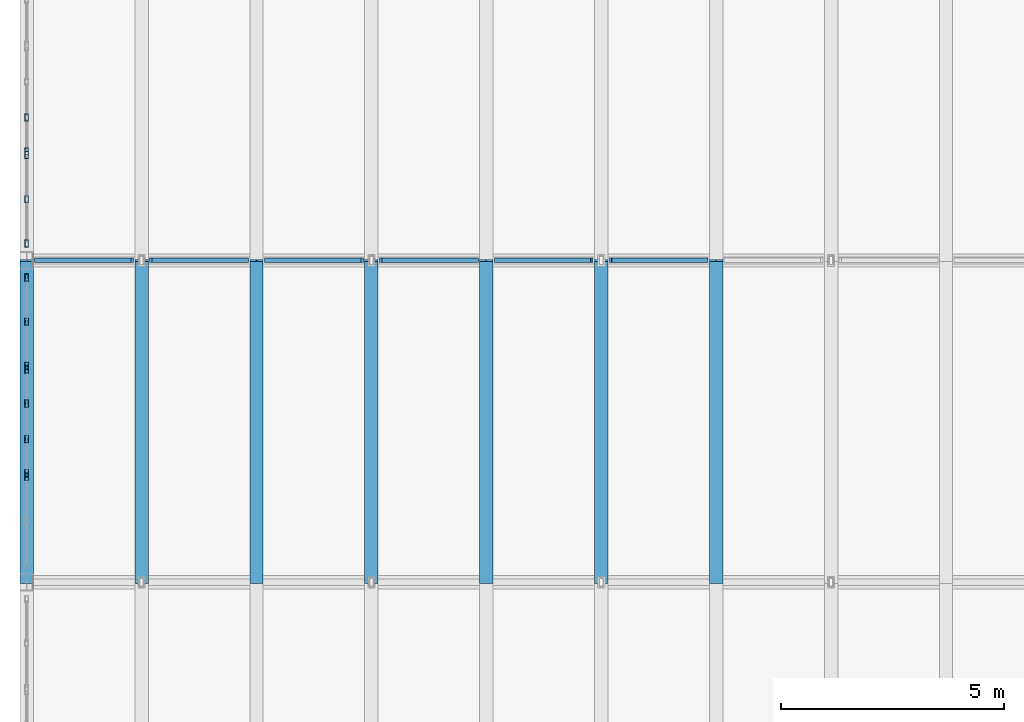
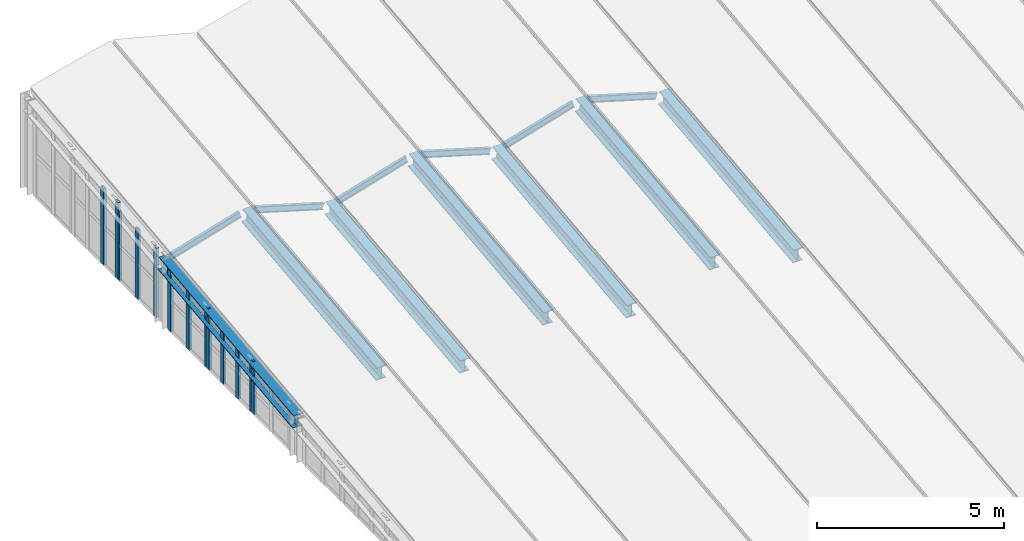
# One storey, part 4 of 39: 19 members, 7 beams, 5 elements without a shape of their own.
"""IFC4 building model written with IfcOpenShell, lengths in metres."""

from ifc_helpers import new_model, si_unit, direction, frame, origin, origin_2d, place, context, subcontext, project, spatial, hollow_rectangle, i_section, extrude, material, layer, layer_set, material_profile, profile_set, type_object, element, aggregate, save


model = new_model("IFC4")

# Units and contexts
model_context = context("Model", 3, precision=1e-05, world=origin(), true_north=direction((0.0, 1.0)))
body_context = subcontext(model_context, "Body", "Model", "MODEL_VIEW")
ifc_project = project(units=[si_unit("LENGTHUNIT", "METRE"), si_unit("AREAUNIT", "SQUARE_METRE"), si_unit("VOLUMEUNIT", "CUBIC_METRE"), si_unit("PLANEANGLEUNIT", "RADIAN"), si_unit("MASSUNIT", "GRAM", prefix="KILO"), si_unit("THERMODYNAMICTEMPERATUREUNIT", "KELVIN"), si_unit("POWERUNIT", "WATT")], contexts=[model_context])

# Site, building, storey
site_placement = place(None, origin())
site = spatial("IfcSite", under=ifc_project, at=site_placement, CompositionType="ELEMENT")
building_placement = place(site_placement, origin())
building = spatial("IfcBuilding", under=site, at=building_placement, Name="Kaldorven Railside Theatre", CompositionType="ELEMENT")
storey_placement = place(building_placement, frame((0.0, 0.0, 27.300048828125)))
storey = spatial("IfcBuildingStorey", under=building, at=storey_placement, Name="ROOF", CompositionType="ELEMENT", Elevation=27.300048828125)

# Beams
ifc_material_1 = material(Name="Steel S355", Category="steel")
ifc_material_profile_1 = material_profile(ifc_material_1, i_section(OverallWidth=0.300048828125, OverallDepth=0.449951171875, WebThickness=0.013916015625, FlangeThickness=0.02587890625, at=origin_2d()), Name="HEB 450")
ifc_profile_set_1 = profile_set([ifc_material_profile_1], Name="Steel S355")
beam_type = type_object("IfcBeamType", Name="BM-HEB450", PredefinedType="BEAM", material=ifc_profile_set_1)
for number, where, z_axis, x_axis, name in (
    (1, (87.199951171875, 98.39990234375, 1.205078125), (0.0, 0.993576360175, 0.113163671295), (-1.0, 0.0, 0.0), "V2 Folded-Plate Valley Girder VB-101"),
    (2, (89.771484375, 98.39990234375, 1.8701171875), (0.0, 0.993580147592, 0.113130412845), (-1.0, 0.0, 0.0), "V2 Folded-Plate Ridge Girder RB-105"),
    (3, (92.343017578125, 98.39990234375, 1.205078125), (0.0, 0.993576360175, 0.113163671295), (-1.0, 0.0, 0.0), "V2 Folded-Plate Valley Girder VB-109"),
    (4, (94.914306640625, 98.39990234375, 1.8701171875), (0.0, 0.993580147592, 0.113130412845), (-1.0, 0.0, 0.0), "V2 Folded-Plate Ridge Girder RB-113"),
    (5, (97.485595703125, 98.39990234375, 1.205078125), (0.0, 0.993576360175, 0.113163671295), (-1.0, 0.0, 0.0), "V2 Folded-Plate Valley Girder VB-117"),
    (6, (100.05712890625, 98.39990234375, 1.8701171875), (0.0, 0.993580147592, 0.113130412845), (-1.0, 0.0, 0.0), "V2 Folded-Plate Ridge Girder RB-121"),
    (7, (102.628662109375, 98.39990234375, 1.205078125), (0.0, 0.993576360175, 0.113163671295), (-1.0, 0.0, 0.0), "V2 Folded-Plate Valley Girder VB-125"),
):
    element("IfcBeam", number, at=place(storey_placement, frame(where, z_axis=z_axis, x_axis=x_axis)), inside=storey, type_object=beam_type, Name=name, PredefinedType="BEAM", context=body_context, shape_type="SweptSolid", body=[
        extrude(i_section(OverallWidth=0.300048828125, OverallDepth=0.449951171875, WebThickness=0.013916015625, FlangeThickness=0.02587890625, at=origin_2d()), origin(), (0.0, 0.0, 1.0), 7.246826171875),
    ])

# Curtain wall, member
ifc_material_2 = material(Name="Low-E laminated solar-control glass", Category="glass")
ifc_layer_1 = layer(ifc_material_2, 0.159912109375, Name="Low-E laminated solar-control glass")
ifc_layer_set_1 = layer_set([ifc_layer_1], Name="Low-E laminated solar-control glass")
curtain_wall_type_1 = type_object("IfcCurtainWallType", Name="CWT-55", PredefinedType="USERDEFINED", material=ifc_layer_set_1)
curtain_wall_1_placement = place(storey_placement, origin())
curtain_wall_1 = element("IfcCurtainWall", 8, at=curtain_wall_1_placement, inside=storey, type_object=curtain_wall_type_1, Name="Fly-Tower West Crown Clerestory CWG-095", ObjectType="FLUTED GLAZING", PredefinedType="USERDEFINED")
ifc_material_3 = material(Name="Anodised bronze aluminium", Category="aluminium")
ifc_material_profile_2 = material_profile(ifc_material_3, hollow_rectangle(XDim=0.080078125, YDim=0.159912109375, WallThickness=0.00634765625, at=origin_2d()), Name="RHS 160x80x6.3")
ifc_profile_set_2 = profile_set([ifc_material_profile_2], Name="Anodised bronze aluminium")
member_type_1 = type_object("IfcMemberType", Name="CWM-160", PredefinedType="MULLION", material=ifc_profile_set_2)
member_1_placement = place(storey_placement, frame((87.199951171875, 100.760009765625, 0.02001953125), z_axis=(0.0, 0.0, 1.0), x_axis=(-1.0, 0.0, 0.0)))
member_1 = element("IfcMember", 9, at=member_1_placement, type_object=member_type_1, Name="CWG-095 mullion 3", PredefinedType="MULLION", context=body_context, shape_type="SweptSolid", body=[
    extrude(hollow_rectangle(XDim=0.080078125, YDim=0.159912109375, WallThickness=0.00634765625, at=origin_2d()), origin(), (0.0, 0.0, 1.0), 1.449951171875),
])
aggregate(curtain_wall_1, [member_1])

# Curtain wall, members
ifc_layer_2 = layer(ifc_material_2, 0.159912109375, Name="Low-E laminated solar-control glass")
ifc_layer_set_2 = layer_set([ifc_layer_2], Name="Low-E laminated solar-control glass")
curtain_wall_type_2 = type_object("IfcCurtainWallType", Name="CWT-56", PredefinedType="USERDEFINED", material=ifc_layer_set_2)
curtain_wall_2_placement = place(storey_placement, origin())
curtain_wall_2 = element("IfcCurtainWall", 10, at=curtain_wall_2_placement, inside=storey, type_object=curtain_wall_type_2, Name="Fly-Tower West Crown Clerestory CWG-096", ObjectType="FLUTED GLAZING", PredefinedType="USERDEFINED")
member_2_placement = place(storey_placement, frame((87.199951171875, 100.840087890625, 0.02001953125), z_axis=(0.0, 0.0, 1.0), x_axis=(-1.0, 0.0, 0.0)))
member_2 = element("IfcMember", 11, at=member_2_placement, type_object=member_type_1, Name="CWG-096 mullion 1", PredefinedType="MULLION", context=body_context, shape_type="SweptSolid", body=[
    extrude(hollow_rectangle(XDim=0.080078125, YDim=0.159912109375, WallThickness=0.00634765625, at=origin_2d()), origin(), (0.0, 0.0, 1.0), 1.68994140625),
])
member_3_placement = place(storey_placement, frame((87.199951171875, 101.60009765625, 0.02001953125), z_axis=(0.0, 0.0, 1.0), x_axis=(-1.0, 0.0, 0.0)))
member_3 = element("IfcMember", 12, at=member_3_placement, type_object=member_type_1, Name="CWG-096 mullion 2", PredefinedType="MULLION", context=body_context, shape_type="SweptSolid", body=[
    extrude(hollow_rectangle(XDim=0.080078125, YDim=0.159912109375, WallThickness=0.00634765625, at=origin_2d()), origin(), (0.0, 0.0, 1.0), 1.68994140625),
])
member_4_placement = place(storey_placement, frame((87.199951171875, 102.39990234375, 0.02001953125), z_axis=(0.0, 0.0, 1.0), x_axis=(-1.0, 0.0, 0.0)))
member_4 = element("IfcMember", 13, at=member_4_placement, type_object=member_type_1, Name="CWG-096 mullion 3", PredefinedType="MULLION", context=body_context, shape_type="SweptSolid", body=[
    extrude(hollow_rectangle(XDim=0.080078125, YDim=0.159912109375, WallThickness=0.00634765625, at=origin_2d()), origin(), (0.0, 0.0, 1.0), 1.68994140625),
])
member_5_placement = place(storey_placement, frame((87.199951171875, 103.159912109375, 0.02001953125), z_axis=(0.0, 0.0, 1.0), x_axis=(-1.0, 0.0, 0.0)))
member_5 = element("IfcMember", 14, at=member_5_placement, type_object=member_type_1, Name="CWG-096 mullion 4", PredefinedType="MULLION", context=body_context, shape_type="SweptSolid", body=[
    extrude(hollow_rectangle(XDim=0.080078125, YDim=0.159912109375, WallThickness=0.00634765625, at=origin_2d()), origin(), (0.0, 0.0, 1.0), 1.68994140625),
])
aggregate(curtain_wall_2, [member_2, member_3, member_4, member_5])

ifc_layer_3 = layer(ifc_material_2, 0.159912109375, Name="Low-E laminated solar-control glass")
ifc_layer_set_3 = layer_set([ifc_layer_3], Name="Low-E laminated solar-control glass")
curtain_wall_type_3 = type_object("IfcCurtainWallType", Name="CWT-57", PredefinedType="USERDEFINED", material=ifc_layer_set_3)
curtain_wall_3_placement = place(storey_placement, origin())
curtain_wall_3 = element("IfcCurtainWall", 15, at=curtain_wall_3_placement, inside=storey, type_object=curtain_wall_type_3, Name="Fly-Tower West Crown Clerestory CWG-097", ObjectType="FLUTED GLAZING", PredefinedType="USERDEFINED")
member_6_placement = place(storey_placement, frame((87.199951171875, 103.239990234375, 0.02001953125), z_axis=(0.0, 0.0, 1.0), x_axis=(-1.0, 0.0, 0.0)))
member_6 = element("IfcMember", 16, at=member_6_placement, type_object=member_type_1, Name="CWG-097 mullion 1", PredefinedType="MULLION", context=body_context, shape_type="SweptSolid", body=[
    extrude(hollow_rectangle(XDim=0.080078125, YDim=0.159912109375, WallThickness=0.00634765625, at=origin_2d()), origin(), (0.0, 0.0, 1.0), 1.9599609375),
])
member_7_placement = place(storey_placement, frame((87.199951171875, 104.22998046875, 0.02001953125), z_axis=(0.0, 0.0, 1.0), x_axis=(-1.0, 0.0, 0.0)))
member_7 = element("IfcMember", 17, at=member_7_placement, type_object=member_type_1, Name="CWG-097 mullion 2", PredefinedType="MULLION", context=body_context, shape_type="SweptSolid", body=[
    extrude(hollow_rectangle(XDim=0.080078125, YDim=0.159912109375, WallThickness=0.00634765625, at=origin_2d()), origin(), (0.0, 0.0, 1.0), 1.9599609375),
])
member_8_placement = place(storey_placement, frame((87.199951171875, 105.219970703125, 0.02001953125), z_axis=(0.0, 0.0, 1.0), x_axis=(-1.0, 0.0, 0.0)))
member_8 = element("IfcMember", 18, at=member_8_placement, type_object=member_type_1, Name="CWG-097 mullion 3", PredefinedType="MULLION", context=body_context, shape_type="SweptSolid", body=[
    extrude(hollow_rectangle(XDim=0.080078125, YDim=0.159912109375, WallThickness=0.00634765625, at=origin_2d()), origin(), (0.0, 0.0, 1.0), 1.9599609375),
])
aggregate(curtain_wall_3, [member_6, member_7, member_8])

ifc_layer_4 = layer(ifc_material_2, 0.159912109375, Name="Low-E laminated solar-control glass")
ifc_layer_set_4 = layer_set([ifc_layer_4], Name="Low-E laminated solar-control glass")
curtain_wall_type_4 = type_object("IfcCurtainWallType", Name="CWT-58", PredefinedType="USERDEFINED", material=ifc_layer_set_4)
curtain_wall_4_placement = place(storey_placement, origin())
curtain_wall_4 = element("IfcCurtainWall", 19, at=curtain_wall_4_placement, inside=storey, type_object=curtain_wall_type_4, Name="Fly-Tower West Crown Clerestory CWG-098", ObjectType="FLUTED GLAZING", PredefinedType="USERDEFINED")
member_9_placement = place(storey_placement, frame((87.199951171875, 105.97998046875, 0.02001953125), z_axis=(0.0, 0.0, 1.0), x_axis=(-1.0, 0.0, 0.0)))
member_9 = element("IfcMember", 20, at=member_9_placement, type_object=member_type_1, Name="CWG-098 mullion 1", PredefinedType="MULLION", context=body_context, shape_type="SweptSolid", body=[
    extrude(hollow_rectangle(XDim=0.080078125, YDim=0.159912109375, WallThickness=0.00634765625, at=origin_2d()), origin(), (0.0, 0.0, 1.0), 2.27001953125),
])
member_10_placement = place(storey_placement, frame((87.199951171875, 106.969970703125, 0.02001953125), z_axis=(0.0, 0.0, 1.0), x_axis=(-1.0, 0.0, 0.0)))
member_10 = element("IfcMember", 21, at=member_10_placement, type_object=member_type_1, Name="CWG-098 mullion 2", PredefinedType="MULLION", context=body_context, shape_type="SweptSolid", body=[
    extrude(hollow_rectangle(XDim=0.080078125, YDim=0.159912109375, WallThickness=0.00634765625, at=origin_2d()), origin(), (0.0, 0.0, 1.0), 2.27001953125),
])
member_11_placement = place(storey_placement, frame((87.199951171875, 107.9599609375, 0.02001953125), z_axis=(0.0, 0.0, 1.0), x_axis=(-1.0, 0.0, 0.0)))
member_11 = element("IfcMember", 22, at=member_11_placement, type_object=member_type_1, Name="CWG-098 mullion 3", PredefinedType="MULLION", context=body_context, shape_type="SweptSolid", body=[
    extrude(hollow_rectangle(XDim=0.080078125, YDim=0.159912109375, WallThickness=0.00634765625, at=origin_2d()), origin(), (0.0, 0.0, 1.0), 2.27001953125),
])
aggregate(curtain_wall_4, [member_9, member_10, member_11])

ifc_layer_5 = layer(ifc_material_2, 0.159912109375, Name="Low-E laminated solar-control glass")
ifc_layer_set_5 = layer_set([ifc_layer_5], Name="Low-E laminated solar-control glass")
curtain_wall_type_5 = type_object("IfcCurtainWallType", Name="CWT-33", PredefinedType="USERDEFINED", material=ifc_layer_set_5)
curtain_wall_5_placement = place(storey_placement, origin())
curtain_wall_5 = element("IfcCurtainWall", 23, at=curtain_wall_5_placement, inside=storey, type_object=curtain_wall_type_5, Name="Fly-Tower West Crown Clerestory CWG-099", ObjectType="FLUTED GLAZING", PredefinedType="USERDEFINED")
member_12_placement = place(storey_placement, frame((87.199951171875, 108.0400390625, 0.02001953125), z_axis=(0.0, 0.0, 1.0), x_axis=(-1.0, 0.0, 0.0)))
member_12 = element("IfcMember", 24, at=member_12_placement, type_object=member_type_1, Name="CWG-099 mullion 1", PredefinedType="MULLION", context=body_context, shape_type="SweptSolid", body=[
    extrude(hollow_rectangle(XDim=0.080078125, YDim=0.159912109375, WallThickness=0.00634765625, at=origin_2d()), origin(), (0.0, 0.0, 1.0), 2.510009765625),
])
member_13_placement = place(storey_placement, frame((87.199951171875, 108.800048828125, 0.02001953125), z_axis=(0.0, 0.0, 1.0), x_axis=(-1.0, 0.0, 0.0)))
member_13 = element("IfcMember", 25, at=member_13_placement, type_object=member_type_1, Name="CWG-099 mullion 2", PredefinedType="MULLION", context=body_context, shape_type="SweptSolid", body=[
    extrude(hollow_rectangle(XDim=0.080078125, YDim=0.159912109375, WallThickness=0.00634765625, at=origin_2d()), origin(), (0.0, 0.0, 1.0), 2.510009765625),
])
aggregate(curtain_wall_5, [member_12, member_13])

# Members
ifc_material_profile_3 = material_profile(ifc_material_1, i_section(OverallWidth=0.10009765625, OverallDepth=0.199951171875, WebThickness=0.005615234375, FlangeThickness=0.008544921875, at=origin_2d()), Name="IPE 200")
ifc_profile_set_3 = profile_set([ifc_material_profile_3], Name="Steel S355")
member_type_2 = type_object("IfcMemberType", Name="MEM-IPE200", PredefinedType="PURLIN", material=ifc_profile_set_3)
for number, where, z_axis, x_axis, name in (
    (26, (87.407958984375, 105.60009765625, 2.119384765625), (0.95859084384, 0.0, 0.284786927556), (0.0, 1.0, 0.0), "V2 Folded-Roof Transverse Purlin PRL-030"),
    (27, (89.9794921875, 105.60009765625, 2.759765625), (0.95859084384, 0.0, -0.284786927556), (0.0, 1.0, 0.0), "V2 Folded-Roof Transverse Purlin PRL-032"),
    (28, (92.55078125, 105.60009765625, 2.119384765625), (0.95859084384, 0.0, 0.284786927556), (0.0, 1.0, 0.0), "V2 Folded-Roof Transverse Purlin PRL-034"),
    (29, (95.122314453125, 105.60009765625, 2.759765625), (0.95859084384, 0.0, -0.284786927556), (0.0, 1.0, 0.0), "V2 Folded-Roof Transverse Purlin PRL-036"),
    (30, (97.693603515625, 105.60009765625, 2.119384765625), (0.95859084384, 0.0, 0.284786927556), (0.0, 1.0, 0.0), "V2 Folded-Roof Transverse Purlin PRL-038"),
    (31, (100.26513671875, 105.60009765625, 2.759765625), (0.95859084384, 0.0, -0.284786927556), (0.0, 1.0, 0.0), "V2 Folded-Roof Transverse Purlin PRL-040"),
):
    element("IfcMember", number, at=place(storey_placement, frame(where, z_axis=z_axis, x_axis=x_axis)), inside=storey, type_object=member_type_2, Name=name, PredefinedType="PURLIN", context=body_context, shape_type="SweptSolid", body=[
        extrude(i_section(OverallWidth=0.10009765625, OverallDepth=0.199951171875, WebThickness=0.005615234375, FlangeThickness=0.008544921875, at=origin_2d()), origin(), (0.0, 0.0, 1.0), 2.24853515625),
    ])

save(model, "model.ifc")
